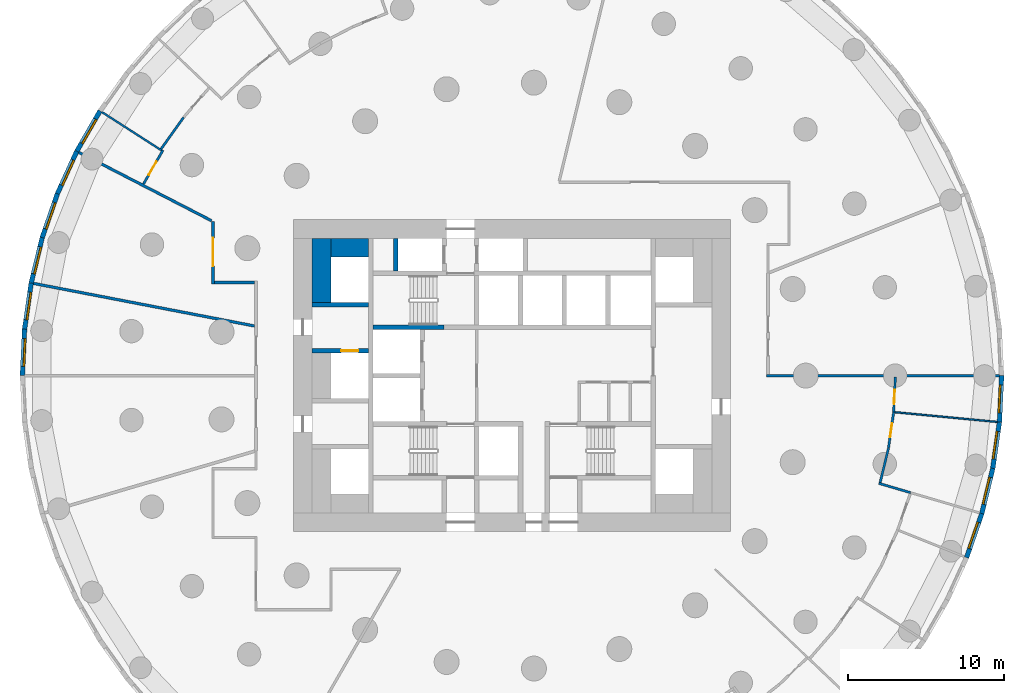
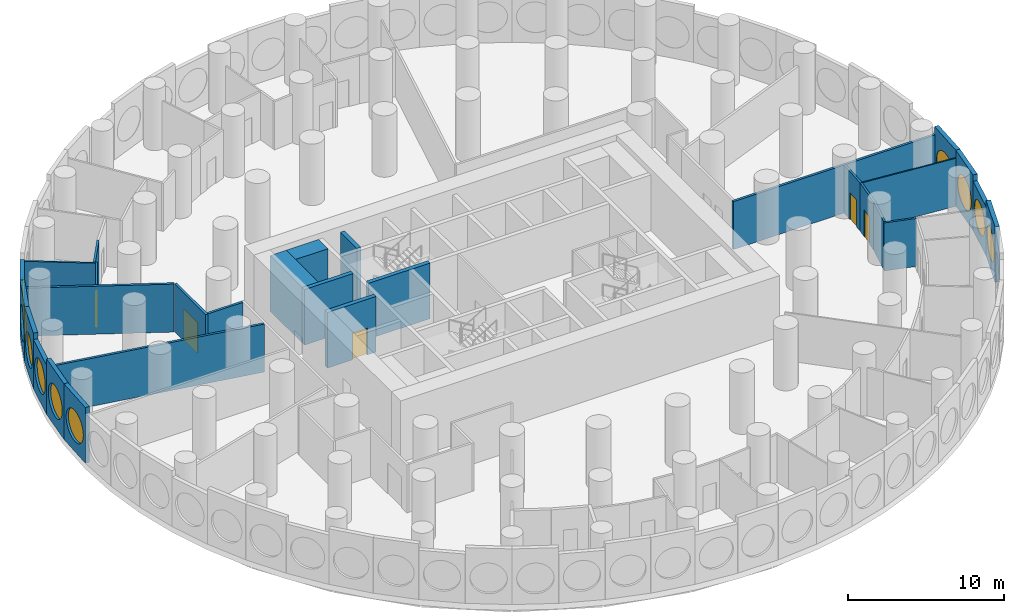
# One storey, part 6 of 11: 29 walls, 10 windows, 5 doors, 15 openings.
"""IFC4 building model written with IfcOpenShell, lengths in metres."""

from ifc_helpers import new_model, si_unit, direction, frame, frame_2d, origin, origin_2d, place, context, subcontext, project, spatial, rectangle, circle, extrude, material, layer, layer_set, type_object, element, fill, save


model = new_model("IFC4")

# Units and contexts
model_context = context("Model", 3, precision=1e-05, world=origin(), true_north=direction((0.0, 1.0)))
body_context = subcontext(model_context, "Body", "Model", "MODEL_VIEW")
ifc_project = project(units=[si_unit("LENGTHUNIT", "METRE"), si_unit("AREAUNIT", "SQUARE_METRE"), si_unit("VOLUMEUNIT", "CUBIC_METRE"), si_unit("PLANEANGLEUNIT", "RADIAN"), si_unit("MASSUNIT", "GRAM", prefix="KILO")], contexts=[model_context])

# Site, building, storey
site_placement = place(None, origin())
site = spatial("IfcSite", under=ifc_project, at=site_placement, CompositionType="ELEMENT")
building_placement = place(site_placement, origin())
building = spatial("IfcBuilding", under=site, at=building_placement, Name="Tracery Tower", CompositionType="ELEMENT")
storey_placement = place(building_placement, frame((0.0, 0.0, 23.39990234375)))
storey = spatial("IfcBuildingStorey", under=building, at=storey_placement, Name="L04", CompositionType="ELEMENT", Elevation=23.39990234375)

# Walls
ifc_material_1 = material(Name="Plasterboard on steel studs", Category="steel")
ifc_layer_1 = layer(ifc_material_1, 0.175048828125)
ifc_layer_set_1 = layer_set([ifc_layer_1], Name="Compartment partition 175")
wall_type_1 = type_object("IfcWallType", Name="Compartment partition 175", PredefinedType="PARTITIONING", material=ifc_layer_set_1)
wall_1_placement = place(storey_placement, frame((-30.659912109375, 5.9091796875, 0.0), z_axis=(0.0, 0.0, 1.0), x_axis=(0.981927651436, -0.189256670545, 0.0)))
element("IfcWall", 1, at=wall_1_placement, inside=storey, type_object=wall_type_1, Name="Compartment partition 175", PredefinedType="PARTITIONING", context=body_context, shape_type="SweptSolid", body=[
    extrude(rectangle(XDim=14.4248046875, YDim=0.175048828125, at=frame_2d((7.21240234375, 0.0))), origin(), (0.0, 0.0, 1.0), 3.75),
])
wall_2_placement = place(storey_placement, frame((-27.753173828125, 14.307861328125, 0.0), z_axis=(0.0, 0.0, 1.0), x_axis=(0.888834171956, -0.458228998169, 0.0)))
element("IfcWall", 2, at=wall_2_placement, inside=storey, type_object=wall_type_1, Name="Compartment partition 175", PredefinedType="PARTITIONING", context=body_context, shape_type="SweptSolid", body=[
    extrude(rectangle(XDim=9.571533203125, YDim=0.175048828125, at=frame_2d((4.78564453125, 0.0))), origin(), (0.0, 0.0, 1.0), 3.75),
])
wall_3_placement = place(storey_placement, frame((-19.07080078125, 5.966552734375, 0.0), z_axis=(0.0, 0.0, 1.0), x_axis=(1.0, 0.0, 0.0)))
element("IfcWall", 3, at=wall_3_placement, inside=storey, type_object=wall_type_1, Name="Compartment partition 175", PredefinedType="PARTITIONING", context=body_context, shape_type="SweptSolid", body=[
    extrude(rectangle(XDim=2.583251953125, YDim=0.175048828125, at=frame_2d((1.29150390625, 0.0))), origin(), (0.0, 0.0, 1.0), 3.75),
])

# Wall, opening, door
wall_4_placement = place(storey_placement, frame((-19.158203125, 5.879150390625, 0.0), z_axis=(0.0, 0.0, 1.0), x_axis=(0.0, 1.0, 0.0)))
wall_4 = element("IfcWall", 4, at=wall_4_placement, inside=storey, type_object=wall_type_1, Name="Compartment partition 175", PredefinedType="PARTITIONING", context=body_context, shape_type="SweptSolid", body=[
    extrude(rectangle(XDim=3.99755859375, YDim=0.175048828125, at=frame_2d((1.998779296875, 0.0))), origin(), (0.0, 0.0, 1.0), 3.75),
])
opening_1_placement = place(wall_4_placement, frame((1.142578125, 0.0, 0.0)))
opening_1 = element("IfcOpeningElement", 5, at=opening_1_placement, cuts=wall_4, Name="Opening SB-L04-11", PredefinedType="OPENING", context=body_context, shape_type="SweptSolid", body=[
    extrude(rectangle(XDim=1.800048828125, YDim=2.39990234375, at=frame_2d((0.89990234375, 1.199951171875))), frame((0.0, 0.08740234375, 0.0), z_axis=(0.0, -1.0, 0.0), x_axis=(1.0, 0.0, 0.0)), (0.0, 0.0, 1.0), 0.175048828125),
])
ifc_material_2 = material(Name="Glazed aluminium door", Category="aluminium")
door_type_1 = type_object("IfcDoorType", Name="Hall double door 1800", OperationType="DOUBLE_DOOR_SINGLE_SWING", PredefinedType="DOOR", material=ifc_material_2)
door_1_placement = place(opening_1_placement, origin())
door_1 = element("IfcDoor", 6, at=door_1_placement, inside=storey, type_object=door_type_1, Name="Hall double door 1800", OperationType="DOUBLE_DOOR_SINGLE_SWING", OverallHeight=2.39990234375, OverallWidth=1.800048828125, PredefinedType="DOOR", context=body_context, shape_type="SweptSolid", body=[
    extrude(rectangle(XDim=1.800048828125, YDim=2.39990234375, at=frame_2d((0.89990234375, 1.199951171875))), frame((0.0, 0.02490234375, 0.0), z_axis=(0.0, -1.0, 0.0), x_axis=(1.0, 0.0, 0.0)), (0.0, 0.0, 1.0), 0.050048828125),
])
fill(opening_1, door_1)

# Walls
wall_5_placement = place(storey_placement, frame((31.224365234375, 0.0, 0.0), z_axis=(0.0, 0.0, 1.0), x_axis=(-1.0, 0.0, 0.0)))
element("IfcWall", 7, at=wall_5_placement, inside=storey, type_object=wall_type_1, Name="Compartment partition 175", PredefinedType="PARTITIONING", context=body_context, shape_type="SweptSolid", body=[
    extrude(rectangle(XDim=14.911865234375, YDim=0.175048828125, at=frame_2d((7.4560546875, 0.0))), origin(), (0.0, 0.0, 1.0), 3.75),
])
ifc_material_3 = material(Name="Concrete C60/75", Category="concrete")
ifc_layer_2 = layer(ifc_material_3, 1.199951171875)
ifc_layer_set_2 = layer_set([ifc_layer_2], Name="Core strip wall 1200 C60")
wall_type_2 = type_object("IfcWallType", Name="Core strip wall 1200 C60", PredefinedType="SOLIDWALL", material=ifc_layer_set_2)
wall_6_placement = place(storey_placement, frame((-12.199951171875, 4.699951171875, 0.0), z_axis=(0.0, 0.0, 1.0), x_axis=(0.0, 1.0, 0.0)))
element("IfcWall", 8, at=wall_6_placement, inside=storey, type_object=wall_type_2, Name="L04 wing strip -1 4.55", PredefinedType="SOLIDWALL", context=body_context, shape_type="SweptSolid", body=[
    extrude(rectangle(XDim=4.10009765625, YDim=1.199951171875, at=frame_2d((2.050048828125, 0.0))), origin(), (0.0, 0.0, 1.0), 4.35009765625),
])
wall_7_placement = place(storey_placement, frame((-11.60009765625, 8.199951171875, 0.0), z_axis=(0.0, 0.0, 1.0), x_axis=(1.0, 0.0, 0.0)))
element("IfcWall", 9, at=wall_7_placement, inside=storey, type_object=wall_type_2, Name="L04 wing corner -1 +8.2", PredefinedType="SOLIDWALL", context=body_context, shape_type="SweptSolid", body=[
    extrude(rectangle(XDim=2.400146484375, YDim=1.199951171875, at=frame_2d((1.2001953125, 0.0))), origin(), (0.0, 0.0, 1.0), 4.35009765625),
])

# Wall, opening, door
ifc_material_4 = material(Name="Plasterboard on steel studs", Category="steel")
ifc_layer_3 = layer(ifc_material_4, 0.14990234375)
ifc_layer_set_3 = layer_set([ifc_layer_3], Name="Corridor partition 150")
wall_type_3 = type_object("IfcWallType", Name="Corridor partition 150", PredefinedType="PARTITIONING", material=ifc_layer_set_3)
wall_8_placement = place(storey_placement, frame((-23.615234375, 12.27490234375, 0.0), z_axis=(0.0, 0.0, 1.0), x_axis=(0.499952953824, 0.866052564203, 0.0)))
wall_8 = element("IfcWall", 10, at=wall_8_placement, inside=storey, type_object=wall_type_3, Name="Corridor partition 150", PredefinedType="PARTITIONING", context=body_context, shape_type="SweptSolid", body=[
    extrude(rectangle(XDim=2.506103515625, YDim=0.14990234375, at=frame_2d((1.2529296875, 0.0))), origin(), (0.0, 0.0, 1.0), 3.75),
])
opening_2_placement = place(wall_8_placement, frame((0.677001953125, 0.0, 0.0)))
opening_2 = element("IfcOpeningElement", 11, at=opening_2_placement, cuts=wall_8, Name="Opening SB-L04-10", PredefinedType="OPENING", context=body_context, shape_type="SweptSolid", body=[
    extrude(rectangle(XDim=1.0, YDim=2.10009765625, at=frame_2d((0.5, 1.050048828125))), frame((0.0, 0.074951171875, 0.0), z_axis=(0.0, -1.0, 0.0), x_axis=(1.0, 0.0, 0.0)), (0.0, 0.0, 1.0), 0.14990234375),
])
ifc_material_5 = material(Name="Timber door leaf", Category="wood")
door_type_2 = type_object("IfcDoorType", Name="Accessible toilet door 1000", OperationType="NOTDEFINED", PredefinedType="DOOR", material=ifc_material_5)
door_2_placement = place(opening_2_placement, origin())
door_2 = element("IfcDoor", 12, at=door_2_placement, inside=storey, type_object=door_type_2, Name="Accessible toilet door 1000", OperationType="SINGLE_SWING_RIGHT", OverallHeight=2.10009765625, OverallWidth=1.0, PredefinedType="DOOR", context=body_context, shape_type="SweptSolid", body=[
    extrude(rectangle(XDim=1.0, YDim=2.10009765625, at=frame_2d((0.5, 1.050048828125))), frame((0.0, 0.02490234375, 0.0), z_axis=(0.0, -1.0, 0.0), x_axis=(1.0, 0.0, 0.0)), (0.0, 0.0, 1.0), 0.050048828125),
])
fill(opening_2, door_2)

# Walls
wall_9_placement = place(storey_placement, frame((-21.0419921875, 16.547607421875, 0.0), z_axis=(0.0, 0.0, 1.0), x_axis=(-0.58007505892, -0.814563027653, 0.0)))
element("IfcWall", 13, at=wall_9_placement, inside=storey, type_object=wall_type_3, Name="Corridor partition 150", PredefinedType="PARTITIONING", context=body_context, shape_type="SweptSolid", body=[
    extrude(rectangle(XDim=2.483154296875, YDim=0.14990234375, at=frame_2d((1.24169921875, 0.0))), origin(), (0.0, 0.0, 1.0), 3.75),
])
wall_10_placement = place(storey_placement, frame((23.58935546875, -6.848388671875, 0.0), z_axis=(0.0, 0.0, 1.0), x_axis=(0.235751338273, 0.971813411362, 0.0)))
element("IfcWall", 14, at=wall_10_placement, inside=storey, type_object=wall_type_3, Name="Corridor partition 150", PredefinedType="PARTITIONING", context=body_context, shape_type="SweptSolid", body=[
    extrude(rectangle(XDim=2.2626953125, YDim=0.14990234375, at=frame_2d((1.13134765625, 0.0))), origin(), (0.0, 0.0, 1.0), 3.75),
])

# Wall, opening, door
wall_11_placement = place(storey_placement, frame((24.45556640625, -2.335205078125, 0.0), z_axis=(0.0, 0.0, 1.0), x_axis=(-0.142327683086, -0.989819594991, 0.0)))
wall_11 = element("IfcWall", 15, at=wall_11_placement, inside=storey, type_object=wall_type_3, Name="Corridor partition 150", PredefinedType="PARTITIONING", context=body_context, shape_type="SweptSolid", body=[
    extrude(rectangle(XDim=2.337890625, YDim=0.14990234375, at=frame_2d((1.1689453125, 0.0))), origin(), (0.0, 0.0, 1.0), 3.75),
])
opening_3_placement = place(wall_11_placement, frame((0.718994140625, 0.0, 0.0)))
opening_3 = element("IfcOpeningElement", 16, at=opening_3_placement, cuts=wall_11, Name="Opening SB-L04-25", PredefinedType="OPENING", context=body_context, shape_type="SweptSolid", body=[
    extrude(rectangle(XDim=0.89990234375, YDim=2.10009765625, at=frame_2d((0.449951171875, 1.050048828125))), frame((0.0, 0.074951171875, 0.0), z_axis=(0.0, -1.0, 0.0), x_axis=(1.0, 0.0, 0.0)), (0.0, 0.0, 1.0), 0.14990234375),
])
ifc_material_6 = material(Name="Timber door leaf", Category="wood")
door_type_3 = type_object("IfcDoorType", Name="Room door 900", OperationType="NOTDEFINED", PredefinedType="DOOR", material=ifc_material_6)
door_3_placement = place(opening_3_placement, origin())
door_3 = element("IfcDoor", 17, at=door_3_placement, inside=storey, type_object=door_type_3, Name="Room door 900", OperationType="SINGLE_SWING_RIGHT", OverallHeight=2.10009765625, OverallWidth=0.89990234375, PredefinedType="DOOR", context=body_context, shape_type="SweptSolid", body=[
    extrude(rectangle(XDim=0.89990234375, YDim=2.10009765625, at=frame_2d((0.449951171875, 1.050048828125))), frame((0.0, 0.02490234375, 0.0), z_axis=(0.0, -1.0, 0.0), x_axis=(1.0, 0.0, 0.0)), (0.0, 0.0, 1.0), 0.050048828125),
])
fill(opening_3, door_3)

wall_12_placement = place(storey_placement, frame((24.5625, -0.08935546875, 0.0), z_axis=(0.0, 0.0, 1.0), x_axis=(-0.047559990425, -0.998868383377, 0.0)))
wall_12 = element("IfcWall", 18, at=wall_12_placement, inside=storey, type_object=wall_type_3, Name="Corridor partition 150", PredefinedType="PARTITIONING", context=body_context, shape_type="SweptSolid", body=[
    extrude(rectangle(XDim=2.248291015625, YDim=0.14990234375, at=frame_2d((1.1240234375, 0.0))), origin(), (0.0, 0.0, 1.0), 3.75),
])
opening_4_placement = place(wall_12_placement, frame((0.82958984375, 0.0, 0.0)))
opening_4 = element("IfcOpeningElement", 19, at=opening_4_placement, cuts=wall_12, Name="Opening SB-L04-26", PredefinedType="OPENING", context=body_context, shape_type="SweptSolid", body=[
    extrude(rectangle(XDim=0.89990234375, YDim=2.10009765625, at=frame_2d((0.449951171875, 1.050048828125))), frame((0.0, 0.074951171875, 0.0), z_axis=(0.0, -1.0, 0.0), x_axis=(1.0, 0.0, 0.0)), (0.0, 0.0, 1.0), 0.14990234375),
])
door_4_placement = place(opening_4_placement, origin())
door_4 = element("IfcDoor", 20, at=door_4_placement, inside=storey, type_object=door_type_3, Name="Room door 900", OperationType="SINGLE_SWING_RIGHT", OverallHeight=2.10009765625, OverallWidth=0.89990234375, PredefinedType="DOOR", context=body_context, shape_type="SweptSolid", body=[
    extrude(rectangle(XDim=0.89990234375, YDim=2.10009765625, at=frame_2d((0.449951171875, 1.050048828125))), frame((0.0, 0.02490234375, 0.0), z_axis=(0.0, -1.0, 0.0), x_axis=(1.0, 0.0, 0.0)), (0.0, 0.0, 1.0), 0.050048828125),
])
fill(opening_4, door_4)

# Wall
wall_13_placement = place(storey_placement, frame((25.540771484375, -7.49951171875, 0.0), z_axis=(0.0, 0.0, 1.0), x_axis=(-0.959493318184, 0.281731383344, 0.0)))
element("IfcWall", 21, at=wall_13_placement, inside=storey, type_object=wall_type_3, Name="Corridor partition 150", PredefinedType="PARTITIONING", context=body_context, shape_type="SweptSolid", body=[
    extrude(rectangle(XDim=2.12744140625, YDim=0.14990234375, at=frame_2d((1.063720703125, 0.0))), origin(), (0.0, 0.0, 1.0), 3.75),
])

# Wall, opening, window
ifc_material_7 = material(Name="Precast concrete C50/60", Category="concrete")
ifc_layer_4 = layer(ifc_material_7, 0.300048828125)
ifc_layer_set_4 = layer_set([ifc_layer_4], Name="Facade panel 3000 x 3850")
wall_type_4 = type_object("IfcWallType", Name="Facade panel 3000 x 3850", PredefinedType="SOLIDWALL", material=ifc_layer_set_4)
wall_14_placement = place(storey_placement, frame((-26.393798828125, 16.96240234375, 0.0), z_axis=(0.0, 0.0, 1.0), x_axis=(-0.500017373705, -0.866015372839, 0.0)))
wall_14 = element("IfcWall", 22, at=wall_14_placement, inside=storey, type_object=wall_type_4, Name="Facade panel 28 at L04", PredefinedType="SOLIDWALL", context=body_context, shape_type="SweptSolid", body=[
    extrude(rectangle(XDim=2.98583984375, YDim=0.300048828125, at=frame_2d((1.492919921875, 0.0))), origin(), (0.0, 0.0, 1.0), 3.85009765625),
])
opening_5_placement = place(wall_14_placement, frame((1.492919921875, 0.0, 2.0)))
opening_5 = element("IfcOpeningElement", 23, at=opening_5_placement, cuts=wall_14, Name="Opening WN2", PredefinedType="OPENING", context=body_context, shape_type="SweptSolid", body=[
    extrude(circle(Radius=1.199951171875, at=origin_2d()), frame((0.0, 0.159912109375, 0.0), z_axis=(0.0, -1.0, 0.0), x_axis=(1.0, 0.0, 0.0)), (0.0, 0.0, 1.0), 0.320068359375),
])
ifc_material_8 = material(Name="Aluminium frame with tinted double glazing", Category="aluminium")
window_type = type_object("IfcWindowType", Name="Round window 2400", PartitioningType="SINGLE_PANEL", PredefinedType="WINDOW", material=ifc_material_8)
window_1_placement = place(opening_5_placement, origin())
window_1 = element("IfcWindow", 24, at=window_1_placement, inside=storey, type_object=window_type, Name="Round window 28 at L04", OverallHeight=2.39990234375, OverallWidth=2.39990234375, PartitioningType="SINGLE_PANEL", PredefinedType="WINDOW", context=body_context, shape_type="SweptSolid", body=[
    extrude(circle(Radius=1.199951171875, at=origin_2d()), frame((0.0, 0.1201171875, 0.0), z_axis=(0.0, -1.0, 0.0), x_axis=(1.0, 0.0, 0.0)), (0.0, 0.0, 1.0), 0.10009765625),
])
fill(opening_5, window_1)

wall_15_placement = place(storey_placement, frame((-30.103515625, 8.839111328125, 0.0), z_axis=(0.0, 0.0, 1.0), x_axis=(-0.235756834479, -0.971812078026, 0.0)))
wall_15 = element("IfcWall", 25, at=wall_15_placement, inside=storey, type_object=wall_type_4, Name="Facade panel 31 at L04", PredefinedType="SOLIDWALL", context=body_context, shape_type="SweptSolid", body=[
    extrude(rectangle(XDim=2.985595703125, YDim=0.300048828125, at=frame_2d((1.49267578125, 0.0))), origin(), (0.0, 0.0, 1.0), 3.85009765625),
])
opening_6_placement = place(wall_15_placement, frame((1.492919921875, 0.0, 2.0)))
opening_6 = element("IfcOpeningElement", 26, at=opening_6_placement, cuts=wall_15, Name="Opening WN2", PredefinedType="OPENING", context=body_context, shape_type="SweptSolid", body=[
    extrude(circle(Radius=1.199951171875, at=origin_2d()), frame((0.0, 0.159912109375, 0.0), z_axis=(0.0, -1.0, 0.0), x_axis=(1.0, 0.0, 0.0)), (0.0, 0.0, 1.0), 0.320068359375),
])
window_2_placement = place(opening_6_placement, origin())
window_2 = element("IfcWindow", 27, at=window_2_placement, inside=storey, type_object=window_type, Name="Round window 31 at L04", OverallHeight=2.39990234375, OverallWidth=2.39990234375, PartitioningType="SINGLE_PANEL", PredefinedType="WINDOW", context=body_context, shape_type="SweptSolid", body=[
    extrude(circle(Radius=1.199951171875, at=origin_2d()), frame((0.0, 0.1201171875, 0.0), z_axis=(0.0, -1.0, 0.0), x_axis=(1.0, 0.0, 0.0)), (0.0, 0.0, 1.0), 0.10009765625),
])
fill(opening_6, window_2)

wall_16_placement = place(storey_placement, frame((30.103515625, -8.839111328125, 0.0), z_axis=(0.0, 0.0, 1.0), x_axis=(0.235756834479, 0.971812078026, 0.0)))
wall_16 = element("IfcWall", 28, at=wall_16_placement, inside=storey, type_object=wall_type_4, Name="Facade panel 64 at L04", PredefinedType="SOLIDWALL", context=body_context, shape_type="SweptSolid", body=[
    extrude(rectangle(XDim=2.985595703125, YDim=0.300048828125, at=frame_2d((1.49267578125, 0.0))), origin(), (0.0, 0.0, 1.0), 3.85009765625),
])
opening_7_placement = place(wall_16_placement, frame((1.492919921875, 0.0, 2.0)))
opening_7 = element("IfcOpeningElement", 29, at=opening_7_placement, cuts=wall_16, Name="Opening WN2", PredefinedType="OPENING", context=body_context, shape_type="SweptSolid", body=[
    extrude(circle(Radius=1.199951171875, at=origin_2d()), frame((0.0, 0.159912109375, 0.0), z_axis=(0.0, -1.0, 0.0), x_axis=(1.0, 0.0, 0.0)), (0.0, 0.0, 1.0), 0.320068359375),
])
window_3_placement = place(opening_7_placement, origin())
window_3 = element("IfcWindow", 30, at=window_3_placement, inside=storey, type_object=window_type, Name="Round window 64 at L04", OverallHeight=2.39990234375, OverallWidth=2.39990234375, PartitioningType="SINGLE_PANEL", PredefinedType="WINDOW", context=body_context, shape_type="SweptSolid", body=[
    extrude(circle(Radius=1.199951171875, at=origin_2d()), frame((0.0, 0.1201171875, 0.0), z_axis=(0.0, -1.0, 0.0), x_axis=(1.0, 0.0, 0.0)), (0.0, 0.0, 1.0), 0.10009765625),
])
fill(opening_7, window_3)

ifc_material_9 = material(Name="Precast concrete C50/60", Category="concrete")
ifc_layer_5 = layer(ifc_material_9, 0.300048828125)
ifc_layer_set_5 = layer_set([ifc_layer_5], Name="Facade panel 3000 x 4350")
wall_type_5 = type_object("IfcWallType", Name="Facade panel 3000 x 4350", PredefinedType="SOLIDWALL", material=ifc_layer_set_5)
wall_17_placement = place(storey_placement, frame((-27.88671875, 14.376708984375, 0.0), z_axis=(0.0, 0.0, 1.0), x_axis=(-0.415373250944, -0.909651066289, 0.0)))
wall_17 = element("IfcWall", 31, at=wall_17_placement, inside=storey, type_object=wall_type_5, Name="Facade panel 29 at L04", PredefinedType="SOLIDWALL", context=body_context, shape_type="SweptSolid", body=[
    extrude(rectangle(XDim=2.98583984375, YDim=0.300048828125, at=frame_2d((1.492919921875, 0.0))), origin(), (0.0, 0.0, 1.0), 4.35009765625),
])
opening_8_placement = place(wall_17_placement, frame((1.492919921875, 0.0, 2.0)))
opening_8 = element("IfcOpeningElement", 32, at=opening_8_placement, cuts=wall_17, Name="Opening WN2", PredefinedType="OPENING", context=body_context, shape_type="SweptSolid", body=[
    extrude(circle(Radius=1.199951171875, at=origin_2d()), frame((0.0, 0.159912109375, 0.0), z_axis=(0.0, -1.0, 0.0), x_axis=(1.0, 0.0, 0.0)), (0.0, 0.0, 1.0), 0.320068359375),
])
window_4_placement = place(opening_8_placement, origin())
window_4 = element("IfcWindow", 33, at=window_4_placement, inside=storey, type_object=window_type, Name="Round window 29 at L04", OverallHeight=2.39990234375, OverallWidth=2.39990234375, PartitioningType="SINGLE_PANEL", PredefinedType="WINDOW", context=body_context, shape_type="SweptSolid", body=[
    extrude(circle(Radius=1.199951171875, at=origin_2d()), frame((0.0, 0.1201171875, 0.0), z_axis=(0.0, -1.0, 0.0), x_axis=(1.0, 0.0, 0.0)), (0.0, 0.0, 1.0), 0.10009765625),
])
fill(opening_8, window_4)

wall_18_placement = place(storey_placement, frame((-29.126953125, 11.66064453125, 0.0), z_axis=(0.0, 0.0, 1.0), x_axis=(-0.327074054052, -0.944998710669, 0.0)))
wall_18 = element("IfcWall", 34, at=wall_18_placement, inside=storey, type_object=wall_type_5, Name="Facade panel 30 at L04", PredefinedType="SOLIDWALL", context=body_context, shape_type="SweptSolid", body=[
    extrude(rectangle(XDim=2.98583984375, YDim=0.300048828125, at=frame_2d((1.492919921875, 0.0))), origin(), (0.0, 0.0, 1.0), 4.35009765625),
])
opening_9_placement = place(wall_18_placement, frame((1.492919921875, 0.0, 2.0)))
opening_9 = element("IfcOpeningElement", 35, at=opening_9_placement, cuts=wall_18, Name="Opening WN2", PredefinedType="OPENING", context=body_context, shape_type="SweptSolid", body=[
    extrude(circle(Radius=1.199951171875, at=origin_2d()), frame((0.0, 0.159912109375, 0.0), z_axis=(0.0, -1.0, 0.0), x_axis=(1.0, 0.0, 0.0)), (0.0, 0.0, 1.0), 0.320068359375),
])
window_5_placement = place(opening_9_placement, origin())
window_5 = element("IfcWindow", 36, at=window_5_placement, inside=storey, type_object=window_type, Name="Round window 30 at L04", OverallHeight=2.39990234375, OverallWidth=2.39990234375, PartitioningType="SINGLE_PANEL", PredefinedType="WINDOW", context=body_context, shape_type="SweptSolid", body=[
    extrude(circle(Radius=1.199951171875, at=origin_2d()), frame((0.0, 0.1201171875, 0.0), z_axis=(0.0, -1.0, 0.0), x_axis=(1.0, 0.0, 0.0)), (0.0, 0.0, 1.0), 0.10009765625),
])
fill(opening_9, window_5)

wall_19_placement = place(storey_placement, frame((-30.807373046875, 5.937744140625, 0.0), z_axis=(0.0, 0.0, 1.0), x_axis=(-0.142360001917, -0.989814947278, 0.0)))
wall_19 = element("IfcWall", 37, at=wall_19_placement, inside=storey, type_object=wall_type_5, Name="Facade panel 32 at L04", PredefinedType="SOLIDWALL", context=body_context, shape_type="SweptSolid", body=[
    extrude(rectangle(XDim=2.98583984375, YDim=0.300048828125, at=frame_2d((1.492919921875, 0.0))), origin(), (0.0, 0.0, 1.0), 4.35009765625),
])
opening_10_placement = place(wall_19_placement, frame((1.492919921875, 0.0, 2.0)))
opening_10 = element("IfcOpeningElement", 38, at=opening_10_placement, cuts=wall_19, Name="Opening WN2", PredefinedType="OPENING", context=body_context, shape_type="SweptSolid", body=[
    extrude(circle(Radius=1.199951171875, at=origin_2d()), frame((0.0, 0.159912109375, 0.0), z_axis=(0.0, -1.0, 0.0), x_axis=(1.0, 0.0, 0.0)), (0.0, 0.0, 1.0), 0.320068359375),
])
window_6_placement = place(opening_10_placement, origin())
window_6 = element("IfcWindow", 39, at=window_6_placement, inside=storey, type_object=window_type, Name="Round window 32 at L04", OverallHeight=2.39990234375, OverallWidth=2.39990234375, PartitioningType="SINGLE_PANEL", PredefinedType="WINDOW", context=body_context, shape_type="SweptSolid", body=[
    extrude(circle(Radius=1.199951171875, at=origin_2d()), frame((0.0, 0.1201171875, 0.0), z_axis=(0.0, -1.0, 0.0), x_axis=(1.0, 0.0, 0.0)), (0.0, 0.0, 1.0), 0.10009765625),
])
fill(opening_10, window_6)

wall_20_placement = place(storey_placement, frame((-31.232421875, 2.982421875, 0.0), z_axis=(0.0, 0.0, 1.0), x_axis=(-0.047588458579, -0.998867027492, 0.0)))
wall_20 = element("IfcWall", 40, at=wall_20_placement, inside=storey, type_object=wall_type_5, Name="Facade panel 33 at L04", PredefinedType="SOLIDWALL", context=body_context, shape_type="SweptSolid", body=[
    extrude(rectangle(XDim=2.98583984375, YDim=0.300048828125, at=frame_2d((1.492919921875, 0.0))), origin(), (0.0, 0.0, 1.0), 4.35009765625),
])
opening_11_placement = place(wall_20_placement, frame((1.492919921875, 0.0, 2.0)))
opening_11 = element("IfcOpeningElement", 41, at=opening_11_placement, cuts=wall_20, Name="Opening WN2", PredefinedType="OPENING", context=body_context, shape_type="SweptSolid", body=[
    extrude(circle(Radius=1.199951171875, at=origin_2d()), frame((0.0, 0.159912109375, 0.0), z_axis=(0.0, -1.0, 0.0), x_axis=(1.0, 0.0, 0.0)), (0.0, 0.0, 1.0), 0.320068359375),
])
window_7_placement = place(opening_11_placement, origin())
window_7 = element("IfcWindow", 42, at=window_7_placement, inside=storey, type_object=window_type, Name="Round window 33 at L04", OverallHeight=2.39990234375, OverallWidth=2.39990234375, PartitioningType="SINGLE_PANEL", PredefinedType="WINDOW", context=body_context, shape_type="SweptSolid", body=[
    extrude(circle(Radius=1.199951171875, at=origin_2d()), frame((0.0, 0.1201171875, 0.0), z_axis=(0.0, -1.0, 0.0), x_axis=(1.0, 0.0, 0.0)), (0.0, 0.0, 1.0), 0.10009765625),
])
fill(opening_11, window_7)

wall_21_placement = place(storey_placement, frame((29.126953125, -11.66064453125, 0.0), z_axis=(0.0, 0.0, 1.0), x_axis=(0.327074054052, 0.944998710669, 0.0)))
wall_21 = element("IfcWall", 43, at=wall_21_placement, inside=storey, type_object=wall_type_5, Name="Facade panel 63 at L04", PredefinedType="SOLIDWALL", context=body_context, shape_type="SweptSolid", body=[
    extrude(rectangle(XDim=2.98583984375, YDim=0.300048828125, at=frame_2d((1.492919921875, 0.0))), origin(), (0.0, 0.0, 1.0), 4.35009765625),
])
opening_12_placement = place(wall_21_placement, frame((1.492919921875, 0.0, 2.0)))
opening_12 = element("IfcOpeningElement", 44, at=opening_12_placement, cuts=wall_21, Name="Opening WN2", PredefinedType="OPENING", context=body_context, shape_type="SweptSolid", body=[
    extrude(circle(Radius=1.199951171875, at=origin_2d()), frame((0.0, 0.159912109375, 0.0), z_axis=(0.0, -1.0, 0.0), x_axis=(1.0, 0.0, 0.0)), (0.0, 0.0, 1.0), 0.320068359375),
])
window_8_placement = place(opening_12_placement, origin())
window_8 = element("IfcWindow", 45, at=window_8_placement, inside=storey, type_object=window_type, Name="Round window 63 at L04", OverallHeight=2.39990234375, OverallWidth=2.39990234375, PartitioningType="SINGLE_PANEL", PredefinedType="WINDOW", context=body_context, shape_type="SweptSolid", body=[
    extrude(circle(Radius=1.199951171875, at=origin_2d()), frame((0.0, 0.1201171875, 0.0), z_axis=(0.0, -1.0, 0.0), x_axis=(1.0, 0.0, 0.0)), (0.0, 0.0, 1.0), 0.10009765625),
])
fill(opening_12, window_8)

wall_22_placement = place(storey_placement, frame((30.807373046875, -5.937744140625, 0.0), z_axis=(0.0, 0.0, 1.0), x_axis=(0.142360001917, 0.989814947278, 0.0)))
wall_22 = element("IfcWall", 46, at=wall_22_placement, inside=storey, type_object=wall_type_5, Name="Facade panel 65 at L04", PredefinedType="SOLIDWALL", context=body_context, shape_type="SweptSolid", body=[
    extrude(rectangle(XDim=2.98583984375, YDim=0.300048828125, at=frame_2d((1.492919921875, 0.0))), origin(), (0.0, 0.0, 1.0), 4.35009765625),
])
opening_13_placement = place(wall_22_placement, frame((1.492919921875, 0.0, 2.0)))
opening_13 = element("IfcOpeningElement", 47, at=opening_13_placement, cuts=wall_22, Name="Opening WN2", PredefinedType="OPENING", context=body_context, shape_type="SweptSolid", body=[
    extrude(circle(Radius=1.199951171875, at=origin_2d()), frame((0.0, 0.159912109375, 0.0), z_axis=(0.0, -1.0, 0.0), x_axis=(1.0, 0.0, 0.0)), (0.0, 0.0, 1.0), 0.320068359375),
])
window_9_placement = place(opening_13_placement, origin())
window_9 = element("IfcWindow", 48, at=window_9_placement, inside=storey, type_object=window_type, Name="Round window 65 at L04", OverallHeight=2.39990234375, OverallWidth=2.39990234375, PartitioningType="SINGLE_PANEL", PredefinedType="WINDOW", context=body_context, shape_type="SweptSolid", body=[
    extrude(circle(Radius=1.199951171875, at=origin_2d()), frame((0.0, 0.1201171875, 0.0), z_axis=(0.0, -1.0, 0.0), x_axis=(1.0, 0.0, 0.0)), (0.0, 0.0, 1.0), 0.10009765625),
])
fill(opening_13, window_9)

wall_23_placement = place(storey_placement, frame((31.232421875, -2.982421875, 0.0), z_axis=(0.0, 0.0, 1.0), x_axis=(0.047588458579, 0.998867027492, 0.0)))
wall_23 = element("IfcWall", 49, at=wall_23_placement, inside=storey, type_object=wall_type_5, Name="Facade panel 66 at L04", PredefinedType="SOLIDWALL", context=body_context, shape_type="SweptSolid", body=[
    extrude(rectangle(XDim=2.98583984375, YDim=0.300048828125, at=frame_2d((1.492919921875, 0.0))), origin(), (0.0, 0.0, 1.0), 4.35009765625),
])
opening_14_placement = place(wall_23_placement, frame((1.492919921875, 0.0, 2.0)))
opening_14 = element("IfcOpeningElement", 50, at=opening_14_placement, cuts=wall_23, Name="Opening WN2", PredefinedType="OPENING", context=body_context, shape_type="SweptSolid", body=[
    extrude(circle(Radius=1.199951171875, at=origin_2d()), frame((0.0, 0.159912109375, 0.0), z_axis=(0.0, -1.0, 0.0), x_axis=(1.0, 0.0, 0.0)), (0.0, 0.0, 1.0), 0.320068359375),
])
window_10_placement = place(opening_14_placement, origin())
window_10 = element("IfcWindow", 51, at=window_10_placement, inside=storey, type_object=window_type, Name="Round window 66 at L04", OverallHeight=2.39990234375, OverallWidth=2.39990234375, PartitioningType="SINGLE_PANEL", PredefinedType="WINDOW", context=body_context, shape_type="SweptSolid", body=[
    extrude(circle(Radius=1.199951171875, at=origin_2d()), frame((0.0, 0.1201171875, 0.0), z_axis=(0.0, -1.0, 0.0), x_axis=(1.0, 0.0, 0.0)), (0.0, 0.0, 1.0), 0.10009765625),
])
fill(opening_14, window_10)

# Walls
ifc_material_10 = material(Name="Concrete C60/75", Category="concrete")
ifc_layer_6 = layer(ifc_material_10, 0.300048828125)
ifc_layer_set_6 = layer_set([ifc_layer_6], Name="Shaft wall 300 C60")
wall_type_6 = type_object("IfcWallType", Name="Shaft wall 300 C60", PredefinedType="SOLIDWALL", material=ifc_layer_set_6)
wall_24_placement = place(storey_placement, frame((-7.449951171875, 6.699951171875, 0.0), z_axis=(0.0, 0.0, 1.0), x_axis=(0.0, 1.0, 0.0)))
element("IfcWall", 52, at=wall_24_placement, inside=storey, type_object=wall_type_6, Name="L04 LR sep -7.45", PredefinedType="SOLIDWALL", context=body_context, shape_type="SweptSolid", body=[
    extrude(rectangle(XDim=2.10009765625, YDim=0.300048828125, at=frame_2d((1.050048828125, 0.0))), origin(), (0.0, 0.0, 1.0), 4.35009765625),
])
wall_25_placement = place(storey_placement, frame((-12.800048828125, 4.550048828125, 0.0), z_axis=(0.0, 0.0, 1.0), x_axis=(1.0, 0.0, 0.0)))
element("IfcWall", 53, at=wall_25_placement, inside=storey, type_object=wall_type_6, Name="L04 wing shaft wall -1 +4.55", PredefinedType="SOLIDWALL", context=body_context, shape_type="SweptSolid", body=[
    extrude(rectangle(XDim=3.60009765625, YDim=0.300048828125, at=frame_2d((1.800048828125, 0.0))), origin(), (0.0, 0.0, 1.0), 4.35009765625),
])

# Wall, opening, door
wall_26_placement = place(storey_placement, frame((-12.800048828125, 1.60009765625, 0.0), z_axis=(0.0, 0.0, 1.0), x_axis=(1.0, 0.0, 0.0)))
wall_26 = element("IfcWall", 54, at=wall_26_placement, inside=storey, type_object=wall_type_6, Name="L04 wing shaft wall -1 +1.60", PredefinedType="SOLIDWALL", context=body_context, shape_type="SweptSolid", body=[
    extrude(rectangle(XDim=3.60009765625, YDim=0.300048828125, at=frame_2d((1.800048828125, 0.0))), origin(), (0.0, 0.0, 1.0), 4.35009765625),
])
opening_15_placement = place(wall_26_placement, frame((1.85009765625, 0.0, 0.0)))
opening_15 = element("IfcOpeningElement", 55, at=opening_15_placement, cuts=wall_26, Name="Opening KD50", PredefinedType="OPENING", context=body_context, shape_type="SweptSolid", body=[
    extrude(rectangle(XDim=1.10009765625, YDim=2.10009765625, at=frame_2d((0.550048828125, 1.050048828125))), frame((0.0, 0.14990234375, 0.0), z_axis=(0.0, -1.0, 0.0), x_axis=(1.0, 0.0, 0.0)), (0.0, 0.0, 1.0), 0.300048828125),
])
ifc_material_11 = material(Name="Steel fire door", Category="steel")
door_type_4 = type_object("IfcDoorType", Name="Landing door 1100", OperationType="NOTDEFINED", PredefinedType="DOOR", material=ifc_material_11)
door_5_placement = place(opening_15_placement, origin())
door_5 = element("IfcDoor", 56, at=door_5_placement, inside=storey, type_object=door_type_4, Name="Landing door LR1", OperationType="SLIDING_TO_RIGHT", OverallHeight=2.10009765625, OverallWidth=1.10009765625, PredefinedType="DOOR", context=body_context, shape_type="SweptSolid", body=[
    extrude(rectangle(XDim=1.10009765625, YDim=2.10009765625, at=frame_2d((0.550048828125, 1.050048828125))), frame((0.0, 0.02490234375, 0.0), z_axis=(0.0, -1.0, 0.0), x_axis=(1.0, 0.0, 0.0)), (0.0, 0.0, 1.0), 0.050048828125),
])
fill(opening_15, door_5)

# Walls
ifc_material_12 = material(Name="Concrete C60/75", Category="concrete")
ifc_layer_7 = layer(ifc_material_12, 0.300048828125)
ifc_layer_set_7 = layer_set([ifc_layer_7], Name="Stair wall 300 C60")
wall_type_7 = type_object("IfcWallType", Name="Stair wall 300 C60", PredefinedType="SOLIDWALL", material=ifc_layer_set_7)
wall_27_placement = place(storey_placement, frame((-8.89990234375, 3.10009765625, 0.0), z_axis=(0.0, 0.0, 1.0), x_axis=(1.0, 0.0, 0.0)))
element("IfcWall", 57, at=wall_27_placement, inside=storey, type_object=wall_type_7, Name="L04 row N W", PredefinedType="SOLIDWALL", context=body_context, shape_type="SweptSolid", body=[
    extrude(rectangle(XDim=4.5498046875, YDim=0.300048828125, at=frame_2d((2.27490234375, 0.0))), origin(), (0.0, 0.0, 1.0), 4.35009765625),
])
ifc_material_13 = material(Name="Plasterboard on steel studs", Category="steel")
ifc_layer_8 = layer(ifc_material_13, 0.10009765625)
ifc_layer_set_8 = layer_set([ifc_layer_8], Name="Stud partition 100")
wall_type_8 = type_object("IfcWallType", Name="Stud partition 100", PredefinedType="PARTITIONING", material=ifc_layer_set_8)
wall_28_placement = place(storey_placement, frame((31.0830078125, -2.968017578125, 0.0), z_axis=(0.0, 0.0, 1.0), x_axis=(-0.995471604087, 0.095059378587, 0.0)))
element("IfcWall", 58, at=wall_28_placement, inside=storey, type_object=wall_type_8, Name="Stud partition 100", PredefinedType="PARTITIONING", context=body_context, shape_type="SweptSolid", body=[
    extrude(rectangle(XDim=6.58251953125, YDim=0.10009765625, at=frame_2d((3.291259765625, 0.0))), origin(), (0.0, 0.0, 1.0), 3.75),
])
ifc_material_14 = material(Name="Plasterboard on steel studs", Category="steel")
ifc_layer_9 = layer(ifc_material_14, 0.125)
ifc_layer_set_9 = layer_set([ifc_layer_9], Name="Wet area partition 125")
wall_type_9 = type_object("IfcWallType", Name="Wet area partition 125", PredefinedType="PARTITIONING", material=ifc_layer_set_9)
wall_29_placement = place(storey_placement, frame((-26.267578125, 16.881103515625, 0.0), z_axis=(0.0, 0.0, 1.0), x_axis=(0.841252009565, -0.540643187697, 0.0)))
element("IfcWall", 59, at=wall_29_placement, inside=storey, type_object=wall_type_9, Name="Wet area partition 125", PredefinedType="PARTITIONING", context=body_context, shape_type="SweptSolid", body=[
    extrude(rectangle(XDim=4.5302734375, YDim=0.125, at=frame_2d((2.26513671875, 0.0))), origin(), (0.0, 0.0, 1.0), 3.75),
])

save(model, "model.ifc")
